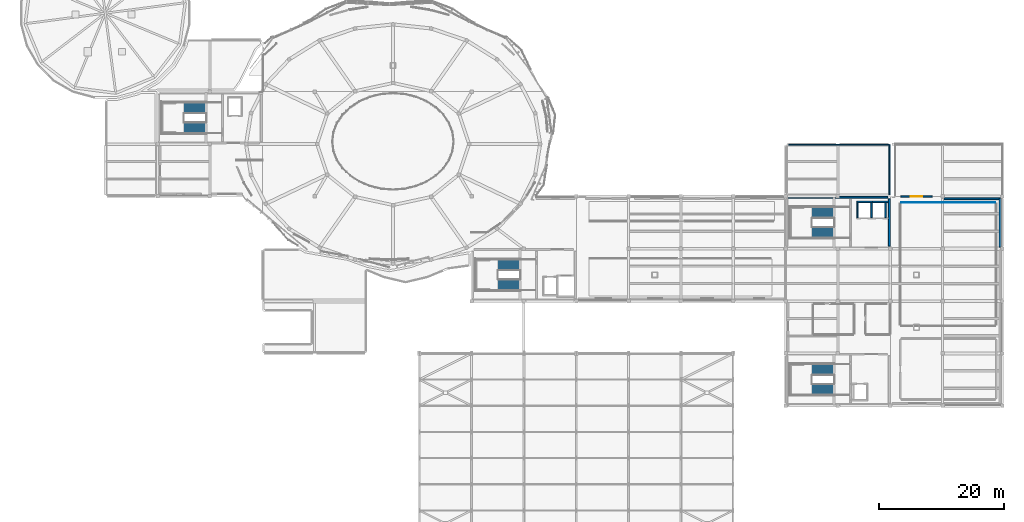
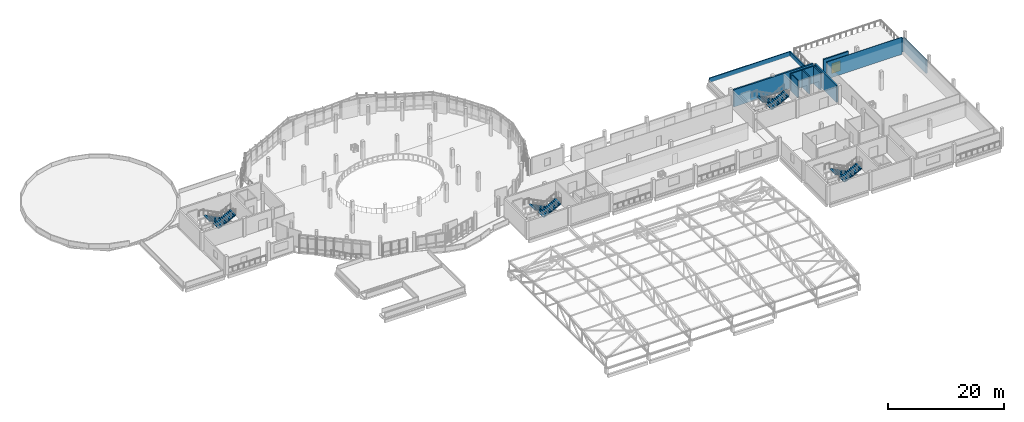
# One storey, part 63 of 74: 13 walls, 8 stair flights, 1 door, 1 opening, 4 elements without a shape of their own.
"""IFC4 building model written with IfcOpenShell, lengths in metres."""

import ifcopenshell
import ifcopenshell.guid

model = None  # the IFC model being written
_history = None  # IfcOwnerHistory: only IFC2X3 demands one
_inside = {}  # id of a spatial element -> (the spatial element, [elements in it])
_under = {}  # id of a project, library or spatial element -> (it, [spatial elements below it])
_declared = {}  # id of a project -> (the project, [libraries it declares])
_typed = {}  # id of a type object -> (the type object, [elements of that type])
_made_of = {}  # id of a material, layer set ... -> (it, [elements and type objects made of it])


def new_model(schema):
    """Start an empty IFC model of exactly this schema.

    Asked for "IFC4X3", IfcOpenShell would pick the latest addendum, in which some entities
    have other attributes; the version numbers below select the first issue.
    IFC2X3 requires an IfcOwnerHistory on every rooted entity: one is made here for all.
    """
    global model, _history
    if schema == "IFC4X3":
        model = ifcopenshell.file(schema_version=(4, 3, 0, 0))
    else:
        model = ifcopenshell.file(schema=schema)
    _inside.clear()
    _under.clear()
    _declared.clear()
    _typed.clear()
    _made_of.clear()
    _history = None
    if model.schema == "IFC2X3":
        org = make("IfcOrganization", Name="unknown")
        user = make(
            "IfcPersonAndOrganization",
            ThePerson=make("IfcPerson", FamilyName="unknown"),
            TheOrganization=org,
        )
        app = make(
            "IfcApplication",
            ApplicationDeveloper=org,
            Version="unknown",
            ApplicationFullName="unknown",
            ApplicationIdentifier="unknown",
        )
        _history = make(
            "IfcOwnerHistory",
            OwningUser=user,
            OwningApplication=app,
            ChangeAction="ADDED",
            CreationDate=0,
        )
    return model


def make(cls, **values):
    """One entity of the class cls with the attributes given. An attribute that is None is left unset."""
    return model.create_entity(
        cls, **{name: value for name, value in values.items() if value is not None}
    )


def rooted(cls, **values):
    """An entity with a GlobalId (a new one), such as an element, a storey or a relation."""
    return make(cls, GlobalId=ifcopenshell.guid.new(), OwnerHistory=_history, **values)


def si_unit(unit_type, name, prefix=None):
    """IfcSIUnit, for example si_unit("LENGTHUNIT", "METRE", prefix="MILLI")."""
    return make("IfcSIUnit", UnitType=unit_type, Prefix=prefix, Name=name)


def derived_unit(unit_type, elements):
    """IfcDerivedUnit: a product of units, each with its exponent."""
    return make(
        "IfcDerivedUnit",
        Elements=[
            make("IfcDerivedUnitElement", Unit=unit, Exponent=power)
            for unit, power in elements
        ],
        UnitType=unit_type,
    )


def assignment(units):
    """IfcUnitAssignment: the units of a project."""
    return None if units is None else make("IfcUnitAssignment", Units=units)


def point(xyz):
    """IfcCartesianPoint."""
    return None if xyz is None else make("IfcCartesianPoint", Coordinates=xyz)


def direction(xyz):
    """IfcDirection."""
    return None if xyz is None else make("IfcDirection", DirectionRatios=xyz)


def frame(location, z_axis=None, x_axis=None):
    """IfcAxis2Placement3D, a coordinate frame: its origin and axes. An axis left out is left unset."""
    return make(
        "IfcAxis2Placement3D",
        Location=point(location),
        Axis=direction(z_axis),
        RefDirection=direction(x_axis),
    )


def frame_2d(location, x_axis=None):
    """IfcAxis2Placement2D, a coordinate frame in the plane: its origin and x axis."""
    return make(
        "IfcAxis2Placement2D", Location=point(location), RefDirection=direction(x_axis)
    )


def origin():
    """The frame at (0, 0, 0) with its axes left unset."""
    return frame((0.0, 0.0, 0.0))


def place(relative_to, where):
    """IfcLocalPlacement: puts the frame where relative to a parent placement (None: the world)."""
    return make(
        "IfcLocalPlacement", PlacementRelTo=relative_to, RelativePlacement=where
    )


def context(
    kind, dimensions, precision=None, world=None, true_north=None, identifier=None
):
    """IfcGeometricRepresentationContext, for example the 3D "Model" context."""
    return make(
        "IfcGeometricRepresentationContext",
        ContextIdentifier=identifier,
        ContextType=kind,
        CoordinateSpaceDimension=dimensions,
        Precision=precision,
        WorldCoordinateSystem=world,
        TrueNorth=true_north,
    )


def subcontext(parent, identifier, kind, view, scale=None):
    """IfcGeometricRepresentationSubContext, for example "Body" below "Model"."""
    return make(
        "IfcGeometricRepresentationSubContext",
        ContextIdentifier=identifier,
        ContextType=kind,
        ParentContext=parent,
        TargetScale=scale,
        TargetView=view,
    )


def project(units=None, contexts=None):
    """IfcProject with its units and contexts."""
    return rooted(
        "IfcProject",
        Name="project",
        RepresentationContexts=contexts,
        UnitsInContext=assignment(units),
    )


def spatial(cls, under=None, at=None, **own):
    """A site, building, storey or space (cls), placed at a placement, below another one or the project."""
    s = rooted(cls, ObjectPlacement=at, **own)
    if under is not None:
        _under.setdefault(under.id(), (under, []))[1].append(s)
    return s


def polyline(points):
    """IfcPolyline through the points."""
    return make("IfcPolyline", Points=[point(p) for p in points])


def profile(cls, at=None, kind="AREA", **sizes):
    """A parametric profile (cls). Its sizes go by their IFC names, for example OverallWidth=200.0."""
    return make(cls, ProfileType=kind, Position=at, **sizes)


def rectangle(**sizes):
    """IfcRectangleProfileDef."""
    return profile("IfcRectangleProfileDef", **sizes)


def outline(outer, holes=None, kind="AREA"):
    """IfcArbitraryClosedProfileDef: a profile drawn as a closed curve; with holes, ...WithVoids."""
    if holes is None:
        return make("IfcArbitraryClosedProfileDef", ProfileType=kind, OuterCurve=outer)
    return make(
        "IfcArbitraryProfileDefWithVoids",
        ProfileType=kind,
        OuterCurve=outer,
        InnerCurves=holes,
    )


def extrude(swept, where, along, depth):
    """IfcExtrudedAreaSolid: the profile swept, set in the frame where, extruded along a direction by depth."""
    return make(
        "IfcExtrudedAreaSolid",
        SweptArea=swept,
        Position=where,
        ExtrudedDirection=direction(along),
        Depth=depth,
    )


def shape(context_of_items, identifier, shape_type, items):
    """IfcShapeRepresentation: the items that make up one representation, for example the "Body"."""
    return make(
        "IfcShapeRepresentation",
        ContextOfItems=context_of_items,
        RepresentationIdentifier=identifier,
        RepresentationType=shape_type,
        Items=items,
    )


def material(Name=None, Category=None):
    """IfcMaterial."""
    return make("IfcMaterial", Name=Name, Category=Category)


def layer(
    of_material, thickness, ventilated=None, Name=None, Category=None, Priority=None
):
    """IfcMaterialLayer: one layer of a wall or slab, of a material (None: an air gap)."""
    return make(
        "IfcMaterialLayer",
        Material=of_material,
        LayerThickness=thickness,
        IsVentilated=ventilated,
        Name=Name,
        Category=Category,
        Priority=Priority,
    )


def layer_set(layers, Name=None):
    """IfcMaterialLayerSet."""
    return make("IfcMaterialLayerSet", MaterialLayers=layers, LayerSetName=Name)


def made_of(thing, what):
    """Note that an element or type object is made of a material, layer set ...; save() writes the relation."""
    if what is not None:
        _made_of.setdefault(what.id(), (what, []))[1].append(thing)
    return thing


def type_object(cls, material=None, **own):
    """A type object (cls), such as IfcWallType, which elements share."""
    return made_of(rooted(cls, **own), material)


def element(
    cls,
    number,
    at=None,
    inside=None,
    cuts=None,
    type_object=None,
    material=None,
    context=None,
    identifier="Body",
    shape_type=None,
    held_by="IfcProductDefinitionShape",
    body=None,
    shapes=None,
    **own,
):
    """One element of the class cls, such as IfcWall. Its Tag is "e" and its number.

    at: its placement. inside: the storey or other place that contains it. cuts: it is an
    opening in that element (IfcRelVoidsElement). A single representation is given by context,
    identifier, shape_type and body (its items); several are given by shapes. held_by: the class
    of the entity that holds the representations. save() writes the other relations.
    """
    e = rooted(cls, Tag="e%d" % number, ObjectPlacement=at, **own)
    if body is not None:
        shapes = [shape(context, identifier, shape_type, body)]
    if shapes is not None:
        e.Representation = make(held_by, Representations=shapes)
    if inside is not None:
        _inside.setdefault(inside.id(), (inside, []))[1].append(e)
    if cuts is not None:
        rooted(
            "IfcRelVoidsElement", RelatingBuildingElement=cuts, RelatedOpeningElement=e
        )
    if type_object is not None:
        _typed.setdefault(type_object.id(), (type_object, []))[1].append(e)
    return made_of(e, material)


def fill(opening, filler):
    """IfcRelFillsElement: the door or window that sits in an opening."""
    return rooted(
        "IfcRelFillsElement",
        RelatingOpeningElement=opening,
        RelatedBuildingElement=filler,
    )


def aggregate(whole, parts):
    """IfcRelAggregates: a whole, such as a stair, and the parts it consists of."""
    return rooted("IfcRelAggregates", RelatingObject=whole, RelatedObjects=parts)


def save(model, path):
    """Write the relations noted so far, then the file.

    IfcRelAggregates (storeys below a building ...), IfcRelContainedInSpatialStructure (elements
    in a storey), IfcRelDefinesByType, IfcRelAssociatesMaterial and IfcRelDeclares: one each for
    every whole, place, type object, material and project.
    """
    for whole, parts in _under.values():
        aggregate(whole, parts)
    for where, things in _inside.values():
        rooted(
            "IfcRelContainedInSpatialStructure",
            RelatedElements=things,
            RelatingStructure=where,
        )
    for kind, things in _typed.values():
        rooted("IfcRelDefinesByType", RelatedObjects=things, RelatingType=kind)
    for what, things in _made_of.values():
        rooted("IfcRelAssociatesMaterial", RelatedObjects=things, RelatingMaterial=what)
    for by, libraries in _declared.values():
        rooted("IfcRelDeclares", RelatingContext=by, RelatedDefinitions=libraries)
    model.write(path)


model = new_model("IFC4")

# Units and contexts
model_context = context("Model", 3, precision=1e-05, world=origin(), true_north=direction((0.0, 1.0)))
body_context = subcontext(model_context, "Body", "Model", "MODEL_VIEW")
ifc_project = project(units=[si_unit("LENGTHUNIT", "METRE"), si_unit("AREAUNIT", "SQUARE_METRE"), si_unit("VOLUMEUNIT", "CUBIC_METRE"), si_unit("PLANEANGLEUNIT", "RADIAN"), si_unit("MASSUNIT", "GRAM", prefix="KILO"), derived_unit("THERMALTRANSMITTANCEUNIT", [(si_unit("POWERUNIT", "WATT"), 1), (si_unit("LENGTHUNIT", "METRE"), -2), (si_unit("THERMODYNAMICTEMPERATUREUNIT", "KELVIN"), -1)])], contexts=[model_context])

# Site, building, storey
site_placement = place(None, origin())
site = spatial("IfcSite", under=ifc_project, at=site_placement, CompositionType="ELEMENT")
building_placement = place(site_placement, origin())
building = spatial("IfcBuilding", under=site, at=building_placement, Name="Elbkamm Science Centre", CompositionType="ELEMENT")
storey_placement = place(building_placement, frame((0.0, 0.0, 14.39990234375)))
storey = spatial("IfcBuildingStorey", under=building, at=storey_placement, Name="L03", CompositionType="ELEMENT", Elevation=14.39990234375)

# Walls
ifc_material_1 = material(Name="Reinforced concrete C40/50", Category="concrete")
ifc_layer_1 = layer(ifc_material_1, 0.300048828125)
ifc_layer_set_1 = layer_set([ifc_layer_1], Name="Reinforced concrete C40/50")
wall_type_1 = type_object("IfcWallType", Name="WL-CORE-300", PredefinedType="SHEAR", material=ifc_layer_set_1)
wall_1_placement = place(storey_placement, frame((126.449951171875, 58.64990234375, 0.0), z_axis=(0.0, 0.0, 1.0), x_axis=(1.0, 0.0, 0.0)))
element("IfcWall", 1, at=wall_1_placement, inside=storey, type_object=wall_type_1, Name="L03 Core C3 Northeast Laboratories and Observatory Core Shear Wall N", PredefinedType="SHEAR", context=body_context, shape_type="SweptSolid", body=[
    extrude(rectangle(XDim=15.929931640625, YDim=0.300048828125, at=frame_2d((7.96484375, 0.0))), origin(), (0.0, 0.0, 1.0), 3.6201171875),
])
wall_2_placement = place(storey_placement, frame((142.64990234375, 50.820068359375, 0.0), z_axis=(0.0, 0.0, 1.0), x_axis=(0.0, 1.0, 0.0)))
element("IfcWall", 2, at=wall_2_placement, inside=storey, type_object=wall_type_1, Name="L03 Core C3 Northeast Laboratories and Observatory Core Shear Wall E", PredefinedType="SHEAR", context=body_context, shape_type="SweptSolid", body=[
    extrude(rectangle(XDim=7.559814453125, YDim=0.300048828125, at=frame_2d((3.77978515625, 0.0))), origin(), (0.0, 0.0, 1.0), 3.6201171875),
])

# Wall, opening, door
ifc_material_2 = material(Name="White precast concrete C40/50", Category="concrete")
ifc_layer_2 = layer(ifc_material_2, 0.27001953125)
ifc_layer_set_2 = layer_set([ifc_layer_2], Name="White precast concrete C40/50")
wall_type_2 = type_object("IfcWallType", Name="WL-EXT-270", PredefinedType="SOLIDWALL", material=ifc_layer_set_2)
wall_3_placement = place(storey_placement, frame((144.5, 58.800048828125, 0.0), z_axis=(0.0, 0.0, 1.0), x_axis=(1.0, 0.0, 0.0)))
wall_3 = element("IfcWall", 3, at=wall_3_placement, inside=storey, type_object=wall_type_2, Name="Biodiversity Garden Roof Terrace Portal Wall", PredefinedType="SOLIDWALL", context=body_context, shape_type="SweptSolid", body=[
    extrude(rectangle(XDim=5.0, YDim=0.27001953125, at=frame_2d((2.5, 0.0))), origin(), (0.0, 0.0, 1.0), 3.6201171875),
])
opening_placement = place(wall_3_placement, frame((1.60009765625, 0.0, 0.0)))
opening = element("IfcOpeningElement", 4, at=opening_placement, cuts=wall_3, Name="Opening TD-01", PredefinedType="OPENING", context=body_context, shape_type="SweptSolid", body=[
    extrude(rectangle(XDim=1.800048828125, YDim=2.14990234375, at=frame_2d((0.89990234375, 1.074951171875))), frame((0.0, 0.14697265625, 0.0), z_axis=(0.0, -1.0, 0.0), x_axis=(1.0, 0.0, 0.0)), (0.0, 0.0, 1.0), 0.2939453125),
])
ifc_material_3 = material(Name="Powder-coated aluminium and laminated glass", Category="aluminium")
ifc_layer_3 = layer(ifc_material_3, 0.050048828125)
ifc_layer_set_3 = layer_set([ifc_layer_3], Name="Powder-coated aluminium and laminated glass")
door_type = type_object("IfcDoorType", Name="DR-TER-1800x2150", OperationType="DOUBLE_DOOR_SINGLE_SWING", PredefinedType="DOOR", material=ifc_layer_set_3)
door_placement = place(opening_placement, origin())
door = element("IfcDoor", 5, at=door_placement, inside=storey, type_object=door_type, Name="Biodiversity Garden Roof Terrace Access Door", OperationType="DOUBLE_DOOR_SINGLE_SWING", OverallHeight=2.14990234375, OverallWidth=1.800048828125, PredefinedType="DOOR", context=body_context, shape_type="SweptSolid", body=[
    extrude(rectangle(XDim=1.800048828125, YDim=2.14990234375, at=frame_2d((0.89990234375, 1.074951171875))), frame((0.0, 0.02490234375, 0.0), z_axis=(0.0, -1.0, 0.0), x_axis=(1.0, 0.0, 0.0)), (0.0, 0.0, 1.0), 0.050048828125),
])
fill(opening, door)

# Walls
wall_4_placement = place(storey_placement, frame((160.419921875, 58.419921875, 0.0), z_axis=(0.0, 0.0, 1.0), x_axis=(0.0, -1.0, 0.0)))
element("IfcWall", 6, at=wall_4_placement, inside=storey, type_object=wall_type_2, Name="L03 Exterior Wall 0279", PredefinedType="SOLIDWALL", context=body_context, shape_type="SweptSolid", body=[
    extrude(rectangle(XDim=7.78076171875, YDim=0.27001953125, at=frame_2d((3.890380859375, 0.0))), origin(), (0.0, 0.0, 1.0), 2.830078125),
])
ifc_layer_4 = layer(ifc_material_2, 0.2900390625)
ifc_layer_set_4 = layer_set([ifc_layer_4], Name="White precast concrete C40/50")
wall_type_3 = type_object("IfcWallType", Name="WL-EXT-290", PredefinedType="SOLIDWALL", material=ifc_layer_set_4)
wall_5_placement = place(storey_placement, frame((151.439208984375, 58.419921875, 0.0), z_axis=(0.0, 0.0, 1.0), x_axis=(1.0, 0.0, 0.0)))
element("IfcWall", 7, at=wall_5_placement, inside=storey, type_object=wall_type_3, Name="L03 Exterior Wall 0278", PredefinedType="SOLIDWALL", context=body_context, shape_type="SweptSolid", body=[
    extrude(rectangle(XDim=8.980712890625, YDim=0.2900390625, at=frame_2d((4.490234375, 0.0))), origin(), (0.0, 0.0, 1.0), 2.830078125),
])
ifc_layer_5 = layer(ifc_material_2, 0.18994140625)
ifc_layer_set_5 = layer_set([ifc_layer_5], Name="White precast concrete C40/50")
wall_type_4 = type_object("IfcWallType", Name="WL-PAR-190", PredefinedType="PARAPET", material=ifc_layer_set_5)
wall_6_placement = place(storey_placement, frame((126.478515625, 67.06005859375, 0.0), z_axis=(0.0, 0.0, 1.0), x_axis=(1.0, 0.0, 0.0)))
element("IfcWall", 8, at=wall_6_placement, inside=storey, type_object=wall_type_4, Name="L03 Roof Parapet Wall 059", PredefinedType="PARAPET", context=body_context, shape_type="SweptSolid", body=[
    extrude(rectangle(XDim=16.181396484375, YDim=0.18994140625, at=frame_2d((8.0908203125, 0.0))), origin(), (0.0, 0.0, 1.0), 0.9501953125),
])
ifc_layer_6 = layer(ifc_material_2, 0.2099609375)
ifc_layer_set_6 = layer_set([ifc_layer_6], Name="White precast concrete C40/50")
wall_type_5 = type_object("IfcWallType", Name="WL-PAR-210", PredefinedType="PARAPET", material=ifc_layer_set_6)
wall_7_placement = place(storey_placement, frame((142.659912109375, 67.06005859375, 0.0), z_axis=(0.0, 0.0, 1.0), x_axis=(0.0, -1.0, 0.0)))
element("IfcWall", 9, at=wall_7_placement, inside=storey, type_object=wall_type_5, Name="L03 Roof Parapet Wall 060", PredefinedType="PARAPET", context=body_context, shape_type="SweptSolid", body=[
    extrude(rectangle(XDim=8.02001953125, YDim=0.2099609375, at=frame_2d((4.010009765625, 0.0))), origin(), (0.0, 0.0, 1.0), 0.9501953125),
])
ifc_material_4 = material(Name="Drywall service partition", Category="gypsum")
ifc_layer_7 = layer(ifc_material_4, 0.10009765625)
ifc_layer_set_7 = layer_set([ifc_layer_7], Name="Drywall service partition")
wall_type_6 = type_object("IfcWallType", Name="WL-PART-100", PredefinedType="PARTITIONING", material=ifc_layer_set_7)
wall_8_placement = place(storey_placement, frame((144.580078125, 57.800048828125, 0.0), z_axis=(0.0, 0.0, 1.0), x_axis=(1.0, 0.0, 0.0)))
element("IfcWall", 10, at=wall_8_placement, inside=storey, type_object=wall_type_6, Name="L03 Curatorial Conservation Workshop Partition 0219", PredefinedType="PARTITIONING", context=body_context, shape_type="SweptSolid", body=[
    extrude(rectangle(XDim=15.0400390625, YDim=0.10009765625, at=frame_2d((7.52001953125, 0.0))), origin(), (0.0, 0.0, 1.0), 3.6201171875),
])
ifc_layer_8 = layer(ifc_material_1, 0.219970703125)
ifc_layer_set_8 = layer_set([ifc_layer_8], Name="Reinforced concrete C40/50")
wall_type_7 = type_object("IfcWallType", Name="WL-SHAFT-220", PredefinedType="SOLIDWALL", material=ifc_layer_set_8)
wall_9_placement = place(storey_placement, frame((137.5400390625, 55.39990234375, 0.0), z_axis=(0.0, 0.0, 1.0), x_axis=(0.0, 1.0, 0.0)))
element("IfcWall", 11, at=wall_9_placement, inside=storey, type_object=wall_type_7, Name="L03 Lift LP1 Shaft West Wall", PredefinedType="SOLIDWALL", context=body_context, shape_type="SweptSolid", body=[
    extrude(rectangle(XDim=2.400146484375, YDim=0.219970703125, at=frame_2d((1.2001953125, 0.0))), origin(), (0.0, 0.0, 1.0), 3.6201171875),
])
wall_10_placement = place(storey_placement, frame((137.429931640625, 57.909912109375, 0.0), z_axis=(0.0, 0.0, 1.0), x_axis=(1.0, 0.0, 0.0)))
element("IfcWall", 12, at=wall_10_placement, inside=storey, type_object=wall_type_7, Name="L03 Lift LP1 Shaft Back Wall", PredefinedType="SOLIDWALL", context=body_context, shape_type="SweptSolid", body=[
    extrude(rectangle(XDim=2.47998046875, YDim=0.219970703125, at=frame_2d((1.239990234375, 0.0))), origin(), (0.0, 0.0, 1.0), 3.6201171875),
])
for number, where, z_axis, x_axis, name in (
    (13, (139.800048828125, 55.39990234375, 0.0), (0.0, 0.0, 1.0), (0.0, 1.0, 0.0), "L03 Lift LP2 Shaft Divider Wall"),
    (14, (142.06005859375, 55.39990234375, 0.0), (0.0, 0.0, 1.0), (0.0, 1.0, 0.0), "L03 Lift LP2 Shaft East Wall"),
):
    element("IfcWall", number, at=place(storey_placement, frame(where, z_axis=z_axis, x_axis=x_axis)), inside=storey, type_object=wall_type_7, Name=name, PredefinedType="SOLIDWALL", context=body_context, shape_type="SweptSolid", body=[
        extrude(rectangle(XDim=2.400146484375, YDim=0.219970703125, at=frame_2d((1.2001953125, 0.0))), origin(), (0.0, 0.0, 1.0), 3.6201171875),
    ])
wall_11_placement = place(storey_placement, frame((139.68994140625, 57.909912109375, 0.0), z_axis=(0.0, 0.0, 1.0), x_axis=(1.0, 0.0, 0.0)))
element("IfcWall", 15, at=wall_11_placement, inside=storey, type_object=wall_type_7, Name="L03 Lift LP2 Shaft Back Wall", PredefinedType="SOLIDWALL", context=body_context, shape_type="SweptSolid", body=[
    extrude(rectangle(XDim=2.81005859375, YDim=0.219970703125, at=frame_2d((1.405029296875, 0.0))), origin(), (0.0, 0.0, 1.0), 3.6201171875),
])

# Stair, stair flights
stair_type = type_object("IfcStairType", Name="ST-TWO-24R-182", PredefinedType="USERDEFINED", material=ifc_material_1)
stair_1_placement = place(storey_placement, origin())
stair_1 = element("IfcStair", 16, at=stair_1_placement, inside=storey, type_object=stair_type, Name="L03 Core C1 Northwest Planetarium and Exhibition Core Escape Stair", ObjectType="TWO_RETURN_STAIR", PredefinedType="USERDEFINED")
stair_flight_type = type_object("IfcStairFlightType", Name="FLT-12R-162MM-182", PredefinedType="STRAIGHT", material=ifc_material_1)
stair_flight_1_placement = place(storey_placement, frame((32.97998046875, 73.010009765625, 0.0), z_axis=(0.0, 0.0, 1.0), x_axis=(-1.0, 0.0, 0.0)))
stair_flight_1 = element("IfcStairFlight", 17, at=stair_flight_1_placement, type_object=stair_flight_type, Name="ST-C1 flight 1", NumberOfRisers=12, NumberOfTreads=11, PredefinedType="STRAIGHT", RiserHeight=0.1625, TreadLength=0.32, context=body_context, shape_type="SweptSolid", body=[
    extrude(outline(polyline([(0.0, 0.0), (0.0, 0.16259765625), (0.320068359375, 0.16259765625), (0.320068359375, 0.324951171875), (0.639892578125, 0.324951171875), (0.639892578125, 0.487548828125), (0.9599609375, 0.487548828125), (0.9599609375, 0.64990234375), (1.280029296875, 0.64990234375), (1.280029296875, 0.8125), (1.60009765625, 0.8125), (1.60009765625, 0.97509765625), (1.919921875, 0.97509765625), (1.919921875, 1.137451171875), (2.239990234375, 1.137451171875), (2.239990234375, 1.300048828125), (2.56005859375, 1.300048828125), (2.56005859375, 1.46240234375), (2.8798828125, 1.46240234375), (2.8798828125, 1.625), (3.199951171875, 1.625), (3.199951171875, 1.78759765625), (3.52001953125, 1.78759765625), (3.52001953125, 1.949951171875), (3.52001953125, 1.608154296875), (0.353271484375, 0.0), (0.0, 0.0)])), frame((0.0, 0.91015625, 0.0), z_axis=(0.0, -1.0, 0.0), x_axis=(1.0, 0.0, 0.0)), (0.0, 0.0, 1.0), 1.820068359375),
])
stair_flight_2_placement = place(storey_placement, frame((29.4599609375, 69.7900390625, 1.9501953125), z_axis=(0.0, 0.0, 1.0), x_axis=(1.0, 0.0, 0.0)))
stair_flight_2 = element("IfcStairFlight", 18, at=stair_flight_2_placement, type_object=stair_flight_type, Name="ST-C1 flight 2", NumberOfRisers=12, NumberOfTreads=11, PredefinedType="STRAIGHT", RiserHeight=0.1625, TreadLength=0.32, context=body_context, shape_type="SweptSolid", body=[
    extrude(outline(polyline([(0.0, 0.0), (0.0, 0.16259765625), (0.320068359375, 0.16259765625), (0.320068359375, 0.324951171875), (0.639892578125, 0.324951171875), (0.639892578125, 0.487548828125), (0.9599609375, 0.487548828125), (0.9599609375, 0.64990234375), (1.280029296875, 0.64990234375), (1.280029296875, 0.8125), (1.60009765625, 0.8125), (1.60009765625, 0.97509765625), (1.919921875, 0.97509765625), (1.919921875, 1.137451171875), (2.239990234375, 1.137451171875), (2.239990234375, 1.300048828125), (2.56005859375, 1.300048828125), (2.56005859375, 1.46240234375), (2.8798828125, 1.46240234375), (2.8798828125, 1.625), (3.199951171875, 1.625), (3.199951171875, 1.78759765625), (3.52001953125, 1.78759765625), (3.52001953125, 1.949951171875), (3.52001953125, 1.608154296875), (0.353271484375, 0.0), (0.0, 0.0)])), frame((0.0, 0.91015625, 0.0), z_axis=(0.0, -1.0, 0.0), x_axis=(1.0, 0.0, 0.0)), (0.0, 0.0, 1.0), 1.820068359375),
])
aggregate(stair_1, [stair_flight_1, stair_flight_2])

stair_2_placement = place(storey_placement, origin())
stair_2 = element("IfcStair", 19, at=stair_2_placement, inside=storey, type_object=stair_type, Name="L03 Core C2 Central Exhibition and Skybridge Core Escape Stair", ObjectType="TWO_RETURN_STAIR", PredefinedType="USERDEFINED")
stair_flight_3_placement = place(storey_placement, frame((83.3798828125, 47.81005859375, 0.0), z_axis=(0.0, 0.0, 1.0), x_axis=(-1.0, 0.0, 0.0)))
stair_flight_3 = element("IfcStairFlight", 20, at=stair_flight_3_placement, type_object=stair_flight_type, Name="ST-C2 flight 1", NumberOfRisers=12, NumberOfTreads=11, PredefinedType="STRAIGHT", RiserHeight=0.1625, TreadLength=0.32, context=body_context, shape_type="SweptSolid", body=[
    extrude(outline(polyline([(0.0, 0.0), (0.0, 0.16259765625), (0.320068359375, 0.16259765625), (0.320068359375, 0.324951171875), (0.639892578125, 0.324951171875), (0.639892578125, 0.487548828125), (0.9599609375, 0.487548828125), (0.9599609375, 0.64990234375), (1.280029296875, 0.64990234375), (1.280029296875, 0.8125), (1.60009765625, 0.8125), (1.60009765625, 0.97509765625), (1.919921875, 0.97509765625), (1.919921875, 1.137451171875), (2.239990234375, 1.137451171875), (2.239990234375, 1.300048828125), (2.56005859375, 1.300048828125), (2.56005859375, 1.46240234375), (2.8798828125, 1.46240234375), (2.8798828125, 1.625), (3.199951171875, 1.625), (3.199951171875, 1.78759765625), (3.52001953125, 1.78759765625), (3.52001953125, 1.949951171875), (3.52001953125, 1.608154296875), (0.353271484375, 0.0), (0.0, 0.0)])), frame((0.0, 0.91015625, 0.0), z_axis=(0.0, -1.0, 0.0), x_axis=(1.0, 0.0, 0.0)), (0.0, 0.0, 1.0), 1.820068359375),
])
stair_flight_4_placement = place(storey_placement, frame((79.860107421875, 44.590087890625, 1.9501953125), z_axis=(0.0, 0.0, 1.0), x_axis=(1.0, 0.0, 0.0)))
stair_flight_4 = element("IfcStairFlight", 21, at=stair_flight_4_placement, type_object=stair_flight_type, Name="ST-C2 flight 2", NumberOfRisers=12, NumberOfTreads=11, PredefinedType="STRAIGHT", RiserHeight=0.1625, TreadLength=0.32, context=body_context, shape_type="SweptSolid", body=[
    extrude(outline(polyline([(0.0, 0.0), (0.0, 0.16259765625), (0.320068359375, 0.16259765625), (0.320068359375, 0.324951171875), (0.639892578125, 0.324951171875), (0.639892578125, 0.487548828125), (0.9599609375, 0.487548828125), (0.9599609375, 0.64990234375), (1.280029296875, 0.64990234375), (1.280029296875, 0.8125), (1.60009765625, 0.8125), (1.60009765625, 0.97509765625), (1.919921875, 0.97509765625), (1.919921875, 1.137451171875), (2.239990234375, 1.137451171875), (2.239990234375, 1.300048828125), (2.56005859375, 1.300048828125), (2.56005859375, 1.46240234375), (2.8798828125, 1.46240234375), (2.8798828125, 1.625), (3.199951171875, 1.625), (3.199951171875, 1.78759765625), (3.52001953125, 1.78759765625), (3.52001953125, 1.949951171875), (3.52001953125, 1.608154296875), (0.353271484375, 0.0), (0.0, 0.0)])), frame((0.0, 0.91015625, 0.0), z_axis=(0.0, -1.0, 0.0), x_axis=(1.0, 0.0, 0.0)), (0.0, 0.0, 1.0), 1.820068359375),
])
aggregate(stair_2, [stair_flight_3, stair_flight_4])

stair_3_placement = place(storey_placement, origin())
stair_3 = element("IfcStair", 22, at=stair_3_placement, inside=storey, type_object=stair_type, Name="L03 Core C3 Northeast Laboratories and Observatory Core Escape Stair", ObjectType="TWO_RETURN_STAIR", PredefinedType="USERDEFINED")
stair_flight_5_placement = place(storey_placement, frame((133.780029296875, 56.2099609375, 0.0), z_axis=(0.0, 0.0, 1.0), x_axis=(-1.0, 0.0, 0.0)))
stair_flight_5 = element("IfcStairFlight", 23, at=stair_flight_5_placement, type_object=stair_flight_type, Name="ST-C3 flight 1", NumberOfRisers=12, NumberOfTreads=11, PredefinedType="STRAIGHT", RiserHeight=0.1625, TreadLength=0.32, context=body_context, shape_type="SweptSolid", body=[
    extrude(outline(polyline([(0.0, 0.0), (0.0, 0.16259765625), (0.320068359375, 0.16259765625), (0.320068359375, 0.324951171875), (0.639892578125, 0.324951171875), (0.639892578125, 0.487548828125), (0.9599609375, 0.487548828125), (0.9599609375, 0.64990234375), (1.280029296875, 0.64990234375), (1.280029296875, 0.8125), (1.60009765625, 0.8125), (1.60009765625, 0.97509765625), (1.919921875, 0.97509765625), (1.919921875, 1.137451171875), (2.239990234375, 1.137451171875), (2.239990234375, 1.300048828125), (2.56005859375, 1.300048828125), (2.56005859375, 1.46240234375), (2.8798828125, 1.46240234375), (2.8798828125, 1.625), (3.199951171875, 1.625), (3.199951171875, 1.78759765625), (3.52001953125, 1.78759765625), (3.52001953125, 1.949951171875), (3.52001953125, 1.608154296875), (0.353271484375, 0.0), (0.0, 0.0)])), frame((0.0, 0.91015625, 0.0), z_axis=(0.0, -1.0, 0.0), x_axis=(1.0, 0.0, 0.0)), (0.0, 0.0, 1.0), 1.820068359375),
])
stair_flight_6_placement = place(storey_placement, frame((130.260009765625, 52.989990234375, 1.9501953125), z_axis=(0.0, 0.0, 1.0), x_axis=(1.0, 0.0, 0.0)))
stair_flight_6 = element("IfcStairFlight", 24, at=stair_flight_6_placement, type_object=stair_flight_type, Name="ST-C3 flight 2", NumberOfRisers=12, NumberOfTreads=11, PredefinedType="STRAIGHT", RiserHeight=0.1625, TreadLength=0.32, context=body_context, shape_type="SweptSolid", body=[
    extrude(outline(polyline([(0.0, 0.0), (0.0, 0.16259765625), (0.320068359375, 0.16259765625), (0.320068359375, 0.324951171875), (0.639892578125, 0.324951171875), (0.639892578125, 0.487548828125), (0.9599609375, 0.487548828125), (0.9599609375, 0.64990234375), (1.280029296875, 0.64990234375), (1.280029296875, 0.8125), (1.60009765625, 0.8125), (1.60009765625, 0.97509765625), (1.919921875, 0.97509765625), (1.919921875, 1.137451171875), (2.239990234375, 1.137451171875), (2.239990234375, 1.300048828125), (2.56005859375, 1.300048828125), (2.56005859375, 1.46240234375), (2.8798828125, 1.46240234375), (2.8798828125, 1.625), (3.199951171875, 1.625), (3.199951171875, 1.78759765625), (3.52001953125, 1.78759765625), (3.52001953125, 1.949951171875), (3.52001953125, 1.608154296875), (0.353271484375, 0.0), (0.0, 0.0)])), frame((0.0, 0.91015625, 0.0), z_axis=(0.0, -1.0, 0.0), x_axis=(1.0, 0.0, 0.0)), (0.0, 0.0, 1.0), 1.820068359375),
])
aggregate(stair_3, [stair_flight_5, stair_flight_6])

stair_4_placement = place(storey_placement, origin())
stair_4 = element("IfcStair", 25, at=stair_4_placement, inside=storey, type_object=stair_type, Name="L03 Core C4 Southeast Workshops and Library Core Escape Stair", ObjectType="TWO_RETURN_STAIR", PredefinedType="USERDEFINED")
stair_flight_7_placement = place(storey_placement, frame((133.780029296875, 31.010009765625, 0.0), z_axis=(0.0, 0.0, 1.0), x_axis=(-1.0, 0.0, 0.0)))
stair_flight_7 = element("IfcStairFlight", 26, at=stair_flight_7_placement, type_object=stair_flight_type, Name="ST-C4 flight 1", NumberOfRisers=12, NumberOfTreads=11, PredefinedType="STRAIGHT", RiserHeight=0.1625, TreadLength=0.32, context=body_context, shape_type="SweptSolid", body=[
    extrude(outline(polyline([(0.0, 0.0), (0.0, 0.16259765625), (0.320068359375, 0.16259765625), (0.320068359375, 0.324951171875), (0.639892578125, 0.324951171875), (0.639892578125, 0.487548828125), (0.9599609375, 0.487548828125), (0.9599609375, 0.64990234375), (1.280029296875, 0.64990234375), (1.280029296875, 0.8125), (1.60009765625, 0.8125), (1.60009765625, 0.97509765625), (1.919921875, 0.97509765625), (1.919921875, 1.137451171875), (2.239990234375, 1.137451171875), (2.239990234375, 1.300048828125), (2.56005859375, 1.300048828125), (2.56005859375, 1.46240234375), (2.8798828125, 1.46240234375), (2.8798828125, 1.625), (3.199951171875, 1.625), (3.199951171875, 1.78759765625), (3.52001953125, 1.78759765625), (3.52001953125, 1.949951171875), (3.52001953125, 1.608154296875), (0.353271484375, 0.0), (0.0, 0.0)])), frame((0.0, 0.91015625, 0.0), z_axis=(0.0, -1.0, 0.0), x_axis=(1.0, 0.0, 0.0)), (0.0, 0.0, 1.0), 1.820068359375),
])
stair_flight_8_placement = place(storey_placement, frame((130.260009765625, 27.7900390625, 1.9501953125), z_axis=(0.0, 0.0, 1.0), x_axis=(1.0, 0.0, 0.0)))
stair_flight_8 = element("IfcStairFlight", 27, at=stair_flight_8_placement, type_object=stair_flight_type, Name="ST-C4 flight 2", NumberOfRisers=12, NumberOfTreads=11, PredefinedType="STRAIGHT", RiserHeight=0.1625, TreadLength=0.32, context=body_context, shape_type="SweptSolid", body=[
    extrude(outline(polyline([(0.0, 0.0), (0.0, 0.16259765625), (0.320068359375, 0.16259765625), (0.320068359375, 0.324951171875), (0.639892578125, 0.324951171875), (0.639892578125, 0.487548828125), (0.9599609375, 0.487548828125), (0.9599609375, 0.64990234375), (1.280029296875, 0.64990234375), (1.280029296875, 0.8125), (1.60009765625, 0.8125), (1.60009765625, 0.97509765625), (1.919921875, 0.97509765625), (1.919921875, 1.137451171875), (2.239990234375, 1.137451171875), (2.239990234375, 1.300048828125), (2.56005859375, 1.300048828125), (2.56005859375, 1.46240234375), (2.8798828125, 1.46240234375), (2.8798828125, 1.625), (3.199951171875, 1.625), (3.199951171875, 1.78759765625), (3.52001953125, 1.78759765625), (3.52001953125, 1.949951171875), (3.52001953125, 1.608154296875), (0.353271484375, 0.0), (0.0, 0.0)])), frame((0.0, 0.91015625, 0.0), z_axis=(0.0, -1.0, 0.0), x_axis=(1.0, 0.0, 0.0)), (0.0, 0.0, 1.0), 1.820068359375),
])
aggregate(stair_4, [stair_flight_7, stair_flight_8])

save(model, "model.ifc")
